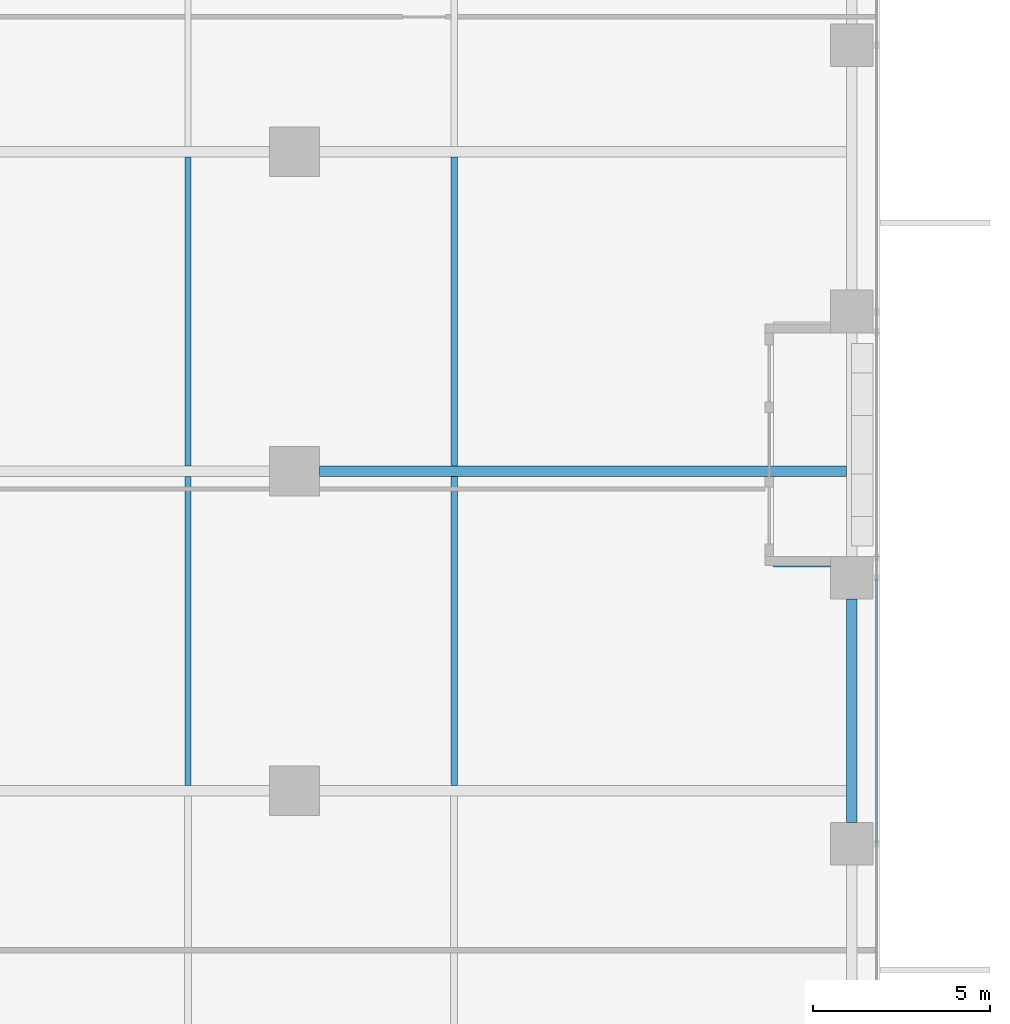
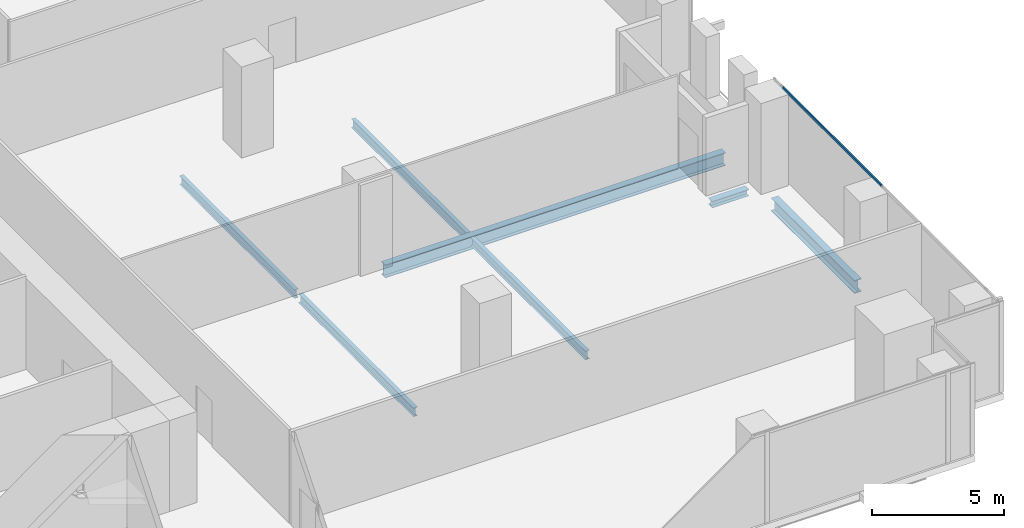
# One storey, part 10 of 33: 7 beams, 1 member, 1 element without a shape of its own.
"""IFC4 building model written with IfcOpenShell, lengths in metres."""

from ifc_helpers import new_model, si_unit, direction, frame, origin, origin_2d, place, context, subcontext, project, spatial, hollow_rectangle, i_section, extrude, source, transform, mapped, material, material_profile, profile_set, type_object, element, aggregate, save


model = new_model("IFC4")

# Units and contexts
model_context = context("Model", 3, precision=1e-05, world=origin(), true_north=direction((0.0, 1.0)))
body_context = subcontext(model_context, "Body", "Model", "MODEL_VIEW")
ifc_project = project(units=[si_unit("LENGTHUNIT", "METRE"), si_unit("AREAUNIT", "SQUARE_METRE"), si_unit("VOLUMEUNIT", "CUBIC_METRE"), si_unit("PLANEANGLEUNIT", "RADIAN"), si_unit("MASSUNIT", "GRAM", prefix="KILO")], contexts=[model_context])

# Site, building, storey
site_placement = place(None, origin())
site = spatial("IfcSite", under=ifc_project, at=site_placement, CompositionType="ELEMENT")
building_placement = place(site_placement, origin())
building = spatial("IfcBuilding", under=site, at=building_placement, Name="Khomas Fold Tower", CompositionType="ELEMENT")
storey_placement = place(building_placement, frame((0.0, 0.0, 82.5)))
storey = spatial("IfcBuildingStorey", under=building, at=storey_placement, Name="L17", CompositionType="ELEMENT", Elevation=82.5)

# Beams
ifc_material_1 = material(Name="Steel S355", Category="steel")
ifc_material_profile_1 = material_profile(ifc_material_1, i_section(OverallWidth=0.179931640625, OverallDepth=0.39990234375, WebThickness=0.008544921875, FlangeThickness=0.013427734375, at=origin_2d()), Name="IPE 400")
ifc_profile_set_1 = profile_set([ifc_material_profile_1], Name="Steel S355")
beam_type_1 = type_object("IfcBeamType", Name="IPE 400 beam JB3", PredefinedType="BEAM", material=ifc_profile_set_1)
shared_shape_1 = source(origin(), body_context, "Body", "SweptSolid", [
    extrude(i_section(OverallWidth=0.179931640625, OverallDepth=0.39990234375, WebThickness=0.008544921875, FlangeThickness=0.013427734375, at=origin_2d()), origin(), (0.0, 0.0, 1.0), 8.7001953125),
])
for number, where, z_axis, x_axis, name in (
    (1, (34.5, 13.64990234375, -0.5), (0.0, 1.0, 0.0), (-1.0, 0.0, 0.0), "JB3"),
    (2, (34.5, 22.64990234375, -0.5), (0.0, 1.0, 0.0), (-1.0, 0.0, 0.0), "JB3"),
    (3, (42.0, 13.64990234375, -0.5), (0.0, 1.0, 0.0), (-1.0, 0.0, 0.0), "JB3"),
    (4, (42.0, 22.64990234375, -0.5), (0.0, 1.0, 0.0), (-1.0, 0.0, 0.0), "JB3"),
):
    element("IfcBeam", number, at=place(storey_placement, frame(where, z_axis=z_axis, x_axis=x_axis)), inside=storey, type_object=beam_type_1, Name=name, PredefinedType="BEAM", context=body_context, shape_type="MappedRepresentation", body=[
        mapped(shared_shape_1, transform((0.0, 0.0, 0.0))),
    ])
ifc_material_2 = material(Name="Steel S355", Category="steel")
ifc_material_profile_2 = material_profile(ifc_material_2, i_section(OverallWidth=0.300048828125, OverallDepth=0.60009765625, WebThickness=0.015380859375, FlangeThickness=0.030029296875, at=origin_2d()), Name="HE 600 B")
ifc_profile_set_2 = profile_set([ifc_material_profile_2], Name="Steel S355")
beam_type_2 = type_object("IfcBeamType", Name="HE 600 B spandrel SB1", PredefinedType="SPANDREL", material=ifc_profile_set_2)
shared_shape_2 = source(origin(), body_context, "Body", "SweptSolid", [
    extrude(i_section(OverallWidth=0.300048828125, OverallDepth=0.60009765625, WebThickness=0.015380859375, FlangeThickness=0.030029296875, at=origin_2d()), origin(), (0.0, 0.0, 1.0), 6.2998046875),
])
beam_1_placement = place(storey_placement, frame((53.199951171875, 12.60009765625, -0.60009765625), z_axis=(0.0, 1.0, 0.0), x_axis=(-1.0, 0.0, 0.0)))
element("IfcBeam", 5, at=beam_1_placement, inside=storey, type_object=beam_type_2, Name="SB1", PredefinedType="SPANDREL", context=body_context, shape_type="MappedRepresentation", body=[
    mapped(shared_shape_2, transform((0.0, 0.0, 0.0))),
])
ifc_material_3 = material(Name="Steel S355", Category="steel")
ifc_material_profile_3 = material_profile(ifc_material_3, i_section(OverallWidth=0.300048828125, OverallDepth=0.60009765625, WebThickness=0.015380859375, FlangeThickness=0.030029296875, at=origin_2d()), Name="HE 600 B")
ifc_profile_set_3 = profile_set([ifc_material_profile_3], Name="Steel S355")
beam_type_3 = type_object("IfcBeamType", Name="HE 600 B beam GB5", PredefinedType="BEAM", material=ifc_profile_set_3)
shared_shape_3 = source(origin(), body_context, "Body", "SweptSolid", [
    extrude(i_section(OverallWidth=0.300048828125, OverallDepth=0.60009765625, WebThickness=0.015380859375, FlangeThickness=0.030029296875, at=origin_2d()), origin(), (0.0, 0.0, 1.0), 14.85009765625),
])
beam_2_placement = place(storey_placement, frame((38.199951171875, 22.5, -0.60009765625), z_axis=(1.0, 0.0, 0.0), x_axis=(0.0, 1.0, 0.0)))
element("IfcBeam", 6, at=beam_2_placement, inside=storey, type_object=beam_type_3, Name="GB5", PredefinedType="BEAM", context=body_context, shape_type="MappedRepresentation", body=[
    mapped(shared_shape_3, transform((0.0, 0.0, 0.0))),
])
ifc_material_4 = material(Name="Steel S355", Category="steel")
ifc_material_profile_4 = material_profile(ifc_material_4, i_section(OverallWidth=0.300048828125, OverallDepth=0.300048828125, WebThickness=0.010986328125, FlangeThickness=0.01904296875, at=origin_2d()), Name="HE 300 B")
ifc_profile_set_4 = profile_set([ifc_material_profile_4], Name="Steel S355")
beam_type_4 = type_object("IfcBeamType", Name="HE 300 B beam BB1", PredefinedType="BEAM", material=ifc_profile_set_4)
shared_shape_4 = source(origin(), body_context, "Body", "SweptSolid", [
    extrude(i_section(OverallWidth=0.300048828125, OverallDepth=0.300048828125, WebThickness=0.010986328125, FlangeThickness=0.01904296875, at=origin_2d()), origin(), (0.0, 0.0, 1.0), 1.60009765625),
])
beam_3_placement = place(storey_placement, frame((51.0, 19.949951171875, -0.449951171875), z_axis=(1.0, 0.0, 0.0), x_axis=(0.0, 1.0, 0.0)))
element("IfcBeam", 7, at=beam_3_placement, inside=storey, type_object=beam_type_4, Name="BB1", PredefinedType="BEAM", context=body_context, shape_type="MappedRepresentation", body=[
    mapped(shared_shape_4, transform((0.0, 0.0, 0.0))),
])

# Curtain wall, member
ifc_material_5 = material(Name="Aluminium framed double glazing", Category="aluminium")
curtain_wall_type = type_object("IfcCurtainWallType", Name="SK-Unitised clear-glass wall, growing floors CW1", PredefinedType="NOTDEFINED", material=ifc_material_5)
curtain_wall_placement = place(storey_placement, origin())
curtain_wall = element("IfcCurtainWall", 8, at=curtain_wall_placement, inside=storey, type_object=curtain_wall_type, Name="CW1 run L17 03-0", PredefinedType="NOTDEFINED")
ifc_material_6 = material(Name="Aluminium", Category="aluminium")
ifc_material_profile_5 = material_profile(ifc_material_6, hollow_rectangle(XDim=0.06005859375, YDim=0.1201171875, WallThickness=0.00390625, at=origin_2d()), Name="SK-Unitised clear-glass wall, growing floors transom CW1-T")
ifc_profile_set_5 = profile_set([ifc_material_profile_5], Name="Aluminium")
member_type = type_object("IfcMemberType", Name="SK-Unitised clear-glass wall, growing floors transom CW1-T", PredefinedType="USERDEFINED", material=ifc_profile_set_5)
shared_shape_5 = source(origin(), body_context, "Body", "SweptSolid", [
    extrude(hollow_rectangle(XDim=0.06005859375, YDim=0.1201171875, WallThickness=0.00390625, at=origin_2d()), origin(), (0.0, 0.0, 1.0), 7.43994140625),
])
member_placement = place(storey_placement, frame((53.89990234375, 12.030029296875, 4.139892578125), z_axis=(0.0, 1.0, 0.0), x_axis=(-1.0, 0.0, 0.0)))
member = element("IfcMember", 9, at=member_placement, type_object=member_type, Name="CW1 transom 3", ObjectType="TRANSOM", PredefinedType="USERDEFINED", context=body_context, shape_type="MappedRepresentation", body=[
    mapped(shared_shape_5, transform((0.0, 0.0, 0.0))),
])
aggregate(curtain_wall, [member])

save(model, "model.ifc")
